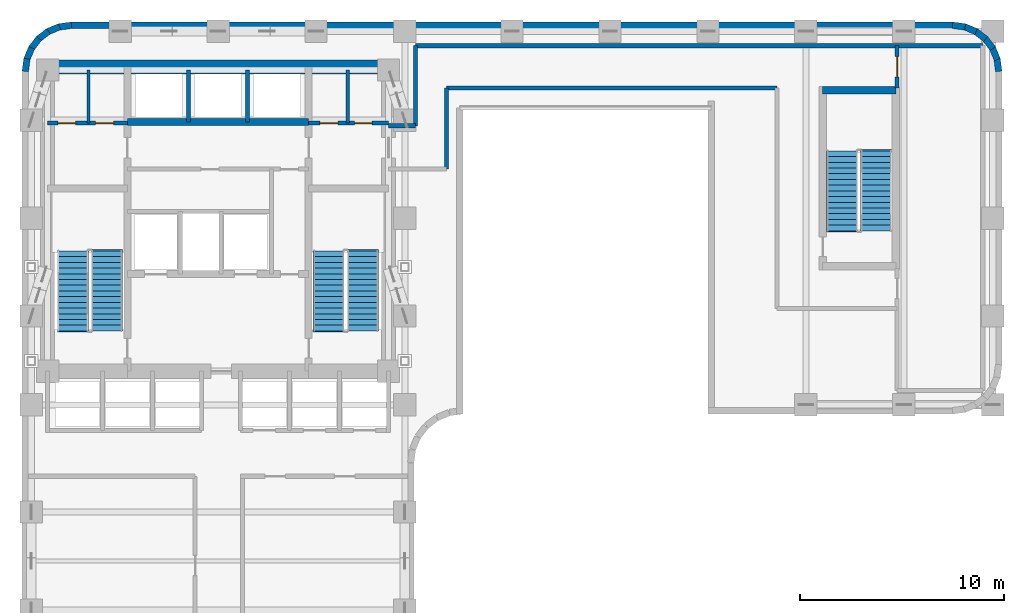
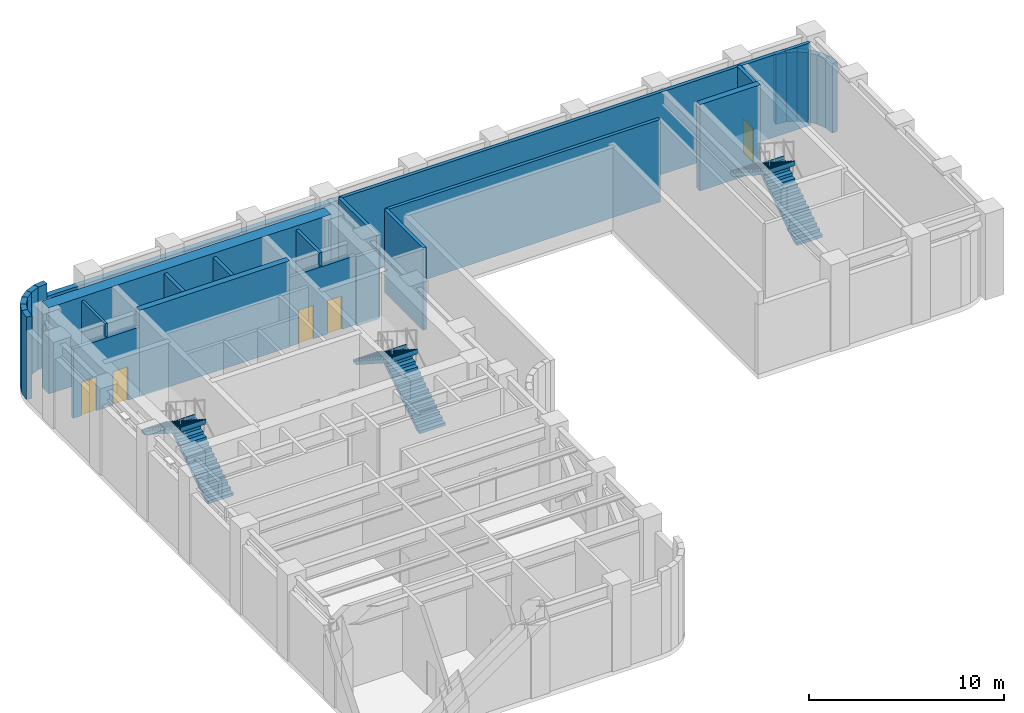
# One storey, part 7 of 9: 28 walls, 6 stair flights, 5 doors, 5 openings, 3 elements without a shape of their own.
"""IFC4 building model written with IfcOpenShell, lengths in metres."""

import ifcopenshell
import ifcopenshell.guid

model = None  # the IFC model being written
_history = None  # IfcOwnerHistory: only IFC2X3 demands one
_inside = {}  # id of a spatial element -> (the spatial element, [elements in it])
_under = {}  # id of a project, library or spatial element -> (it, [spatial elements below it])
_declared = {}  # id of a project -> (the project, [libraries it declares])
_typed = {}  # id of a type object -> (the type object, [elements of that type])
_made_of = {}  # id of a material, layer set ... -> (it, [elements and type objects made of it])


def new_model(schema):
    """Start an empty IFC model of exactly this schema.

    Asked for "IFC4X3", IfcOpenShell would pick the latest addendum, in which some entities
    have other attributes; the version numbers below select the first issue.
    IFC2X3 requires an IfcOwnerHistory on every rooted entity: one is made here for all.
    """
    global model, _history
    if schema == "IFC4X3":
        model = ifcopenshell.file(schema_version=(4, 3, 0, 0))
    else:
        model = ifcopenshell.file(schema=schema)
    _inside.clear()
    _under.clear()
    _declared.clear()
    _typed.clear()
    _made_of.clear()
    _history = None
    if model.schema == "IFC2X3":
        org = make("IfcOrganization", Name="unknown")
        user = make(
            "IfcPersonAndOrganization",
            ThePerson=make("IfcPerson", FamilyName="unknown"),
            TheOrganization=org,
        )
        app = make(
            "IfcApplication",
            ApplicationDeveloper=org,
            Version="unknown",
            ApplicationFullName="unknown",
            ApplicationIdentifier="unknown",
        )
        _history = make(
            "IfcOwnerHistory",
            OwningUser=user,
            OwningApplication=app,
            ChangeAction="ADDED",
            CreationDate=0,
        )
    return model


def make(cls, **values):
    """One entity of the class cls with the attributes given. An attribute that is None is left unset."""
    return model.create_entity(
        cls, **{name: value for name, value in values.items() if value is not None}
    )


def rooted(cls, **values):
    """An entity with a GlobalId (a new one), such as an element, a storey or a relation."""
    return make(cls, GlobalId=ifcopenshell.guid.new(), OwnerHistory=_history, **values)


def si_unit(unit_type, name, prefix=None):
    """IfcSIUnit, for example si_unit("LENGTHUNIT", "METRE", prefix="MILLI")."""
    return make("IfcSIUnit", UnitType=unit_type, Prefix=prefix, Name=name)


def assignment(units):
    """IfcUnitAssignment: the units of a project."""
    return None if units is None else make("IfcUnitAssignment", Units=units)


def point(xyz):
    """IfcCartesianPoint."""
    return None if xyz is None else make("IfcCartesianPoint", Coordinates=xyz)


def direction(xyz):
    """IfcDirection."""
    return None if xyz is None else make("IfcDirection", DirectionRatios=xyz)


def frame(location, z_axis=None, x_axis=None):
    """IfcAxis2Placement3D, a coordinate frame: its origin and axes. An axis left out is left unset."""
    return make(
        "IfcAxis2Placement3D",
        Location=point(location),
        Axis=direction(z_axis),
        RefDirection=direction(x_axis),
    )


def frame_2d(location, x_axis=None):
    """IfcAxis2Placement2D, a coordinate frame in the plane: its origin and x axis."""
    return make(
        "IfcAxis2Placement2D", Location=point(location), RefDirection=direction(x_axis)
    )


def origin():
    """The frame at (0, 0, 0) with its axes left unset."""
    return frame((0.0, 0.0, 0.0))


def place(relative_to, where):
    """IfcLocalPlacement: puts the frame where relative to a parent placement (None: the world)."""
    return make(
        "IfcLocalPlacement", PlacementRelTo=relative_to, RelativePlacement=where
    )


def context(
    kind, dimensions, precision=None, world=None, true_north=None, identifier=None
):
    """IfcGeometricRepresentationContext, for example the 3D "Model" context."""
    return make(
        "IfcGeometricRepresentationContext",
        ContextIdentifier=identifier,
        ContextType=kind,
        CoordinateSpaceDimension=dimensions,
        Precision=precision,
        WorldCoordinateSystem=world,
        TrueNorth=true_north,
    )


def subcontext(parent, identifier, kind, view, scale=None):
    """IfcGeometricRepresentationSubContext, for example "Body" below "Model"."""
    return make(
        "IfcGeometricRepresentationSubContext",
        ContextIdentifier=identifier,
        ContextType=kind,
        ParentContext=parent,
        TargetScale=scale,
        TargetView=view,
    )


def project(units=None, contexts=None):
    """IfcProject with its units and contexts."""
    return rooted(
        "IfcProject",
        Name="project",
        RepresentationContexts=contexts,
        UnitsInContext=assignment(units),
    )


def spatial(cls, under=None, at=None, **own):
    """A site, building, storey or space (cls), placed at a placement, below another one or the project."""
    s = rooted(cls, ObjectPlacement=at, **own)
    if under is not None:
        _under.setdefault(under.id(), (under, []))[1].append(s)
    return s


def polyline(points):
    """IfcPolyline through the points."""
    return make("IfcPolyline", Points=[point(p) for p in points])


def profile(cls, at=None, kind="AREA", **sizes):
    """A parametric profile (cls). Its sizes go by their IFC names, for example OverallWidth=200.0."""
    return make(cls, ProfileType=kind, Position=at, **sizes)


def rectangle(**sizes):
    """IfcRectangleProfileDef."""
    return profile("IfcRectangleProfileDef", **sizes)


def outline(outer, holes=None, kind="AREA"):
    """IfcArbitraryClosedProfileDef: a profile drawn as a closed curve; with holes, ...WithVoids."""
    if holes is None:
        return make("IfcArbitraryClosedProfileDef", ProfileType=kind, OuterCurve=outer)
    return make(
        "IfcArbitraryProfileDefWithVoids",
        ProfileType=kind,
        OuterCurve=outer,
        InnerCurves=holes,
    )


def extrude(swept, where, along, depth):
    """IfcExtrudedAreaSolid: the profile swept, set in the frame where, extruded along a direction by depth."""
    return make(
        "IfcExtrudedAreaSolid",
        SweptArea=swept,
        Position=where,
        ExtrudedDirection=direction(along),
        Depth=depth,
    )


def shape(context_of_items, identifier, shape_type, items):
    """IfcShapeRepresentation: the items that make up one representation, for example the "Body"."""
    return make(
        "IfcShapeRepresentation",
        ContextOfItems=context_of_items,
        RepresentationIdentifier=identifier,
        RepresentationType=shape_type,
        Items=items,
    )


def material(Name=None, Category=None):
    """IfcMaterial."""
    return make("IfcMaterial", Name=Name, Category=Category)


def layer(
    of_material, thickness, ventilated=None, Name=None, Category=None, Priority=None
):
    """IfcMaterialLayer: one layer of a wall or slab, of a material (None: an air gap)."""
    return make(
        "IfcMaterialLayer",
        Material=of_material,
        LayerThickness=thickness,
        IsVentilated=ventilated,
        Name=Name,
        Category=Category,
        Priority=Priority,
    )


def layer_set(layers, Name=None):
    """IfcMaterialLayerSet."""
    return make("IfcMaterialLayerSet", MaterialLayers=layers, LayerSetName=Name)


def made_of(thing, what):
    """Note that an element or type object is made of a material, layer set ...; save() writes the relation."""
    if what is not None:
        _made_of.setdefault(what.id(), (what, []))[1].append(thing)
    return thing


def type_object(cls, material=None, **own):
    """A type object (cls), such as IfcWallType, which elements share."""
    return made_of(rooted(cls, **own), material)


def element(
    cls,
    number,
    at=None,
    inside=None,
    cuts=None,
    type_object=None,
    material=None,
    context=None,
    identifier="Body",
    shape_type=None,
    held_by="IfcProductDefinitionShape",
    body=None,
    shapes=None,
    **own,
):
    """One element of the class cls, such as IfcWall. Its Tag is "e" and its number.

    at: its placement. inside: the storey or other place that contains it. cuts: it is an
    opening in that element (IfcRelVoidsElement). A single representation is given by context,
    identifier, shape_type and body (its items); several are given by shapes. held_by: the class
    of the entity that holds the representations. save() writes the other relations.
    """
    e = rooted(cls, Tag="e%d" % number, ObjectPlacement=at, **own)
    if body is not None:
        shapes = [shape(context, identifier, shape_type, body)]
    if shapes is not None:
        e.Representation = make(held_by, Representations=shapes)
    if inside is not None:
        _inside.setdefault(inside.id(), (inside, []))[1].append(e)
    if cuts is not None:
        rooted(
            "IfcRelVoidsElement", RelatingBuildingElement=cuts, RelatedOpeningElement=e
        )
    if type_object is not None:
        _typed.setdefault(type_object.id(), (type_object, []))[1].append(e)
    return made_of(e, material)


def fill(opening, filler):
    """IfcRelFillsElement: the door or window that sits in an opening."""
    return rooted(
        "IfcRelFillsElement",
        RelatingOpeningElement=opening,
        RelatedBuildingElement=filler,
    )


def aggregate(whole, parts):
    """IfcRelAggregates: a whole, such as a stair, and the parts it consists of."""
    return rooted("IfcRelAggregates", RelatingObject=whole, RelatedObjects=parts)


def save(model, path):
    """Write the relations noted so far, then the file.

    IfcRelAggregates (storeys below a building ...), IfcRelContainedInSpatialStructure (elements
    in a storey), IfcRelDefinesByType, IfcRelAssociatesMaterial and IfcRelDeclares: one each for
    every whole, place, type object, material and project.
    """
    for whole, parts in _under.values():
        aggregate(whole, parts)
    for where, things in _inside.values():
        rooted(
            "IfcRelContainedInSpatialStructure",
            RelatedElements=things,
            RelatingStructure=where,
        )
    for kind, things in _typed.values():
        rooted("IfcRelDefinesByType", RelatedObjects=things, RelatingType=kind)
    for what, things in _made_of.values():
        rooted("IfcRelAssociatesMaterial", RelatedObjects=things, RelatingMaterial=what)
    for by, libraries in _declared.values():
        rooted("IfcRelDeclares", RelatingContext=by, RelatedDefinitions=libraries)
    model.write(path)


model = new_model("IFC4")

# Units and contexts
model_context = context("Model", 3, precision=1e-05, world=origin(), true_north=direction((0.0, 1.0)))
body_context = subcontext(model_context, "Body", "Model", "MODEL_VIEW")
ifc_project = project(units=[si_unit("LENGTHUNIT", "METRE"), si_unit("AREAUNIT", "SQUARE_METRE"), si_unit("VOLUMEUNIT", "CUBIC_METRE"), si_unit("PLANEANGLEUNIT", "RADIAN"), si_unit("MASSUNIT", "GRAM", prefix="KILO")], contexts=[model_context])

# Site, building, storey
site_placement = place(None, origin())
site = spatial("IfcSite", under=ifc_project, at=site_placement, CompositionType="ELEMENT")
building_placement = place(site_placement, origin())
building = spatial("IfcBuilding", under=site, at=building_placement, Name="Orvandelia Arch Residences", CompositionType="ELEMENT")
storey_placement = place(building_placement, frame((0.0, 0.0, 101.800048828125)))
storey = spatial("IfcBuildingStorey", under=building, at=storey_placement, Name="L26", CompositionType="ELEMENT", Elevation=101.800048828125)

# Walls
ifc_material_1 = material(Name="Concrete C50/60", Category="concrete")
ifc_layer_1 = layer(ifc_material_1, 0.35009765625, Name="Concrete C50/60", Category="concrete")
ifc_layer_set_1 = layer_set([ifc_layer_1], Name="Concrete C50/60")
wall_type_1 = type_object("IfcWallType", Name="WL-CORE-350", PredefinedType="SHEAR", material=ifc_layer_set_1)
wall_1_placement = place(storey_placement, frame((9.9599609375, 43.10009765625, 0.0), z_axis=(0.0, 0.0, 1.0), x_axis=(1.0, 0.0, 0.0)))
element("IfcWall", 1, at=wall_1_placement, inside=storey, type_object=wall_type_1, Name="Core Shear Wall L26-HZ4", PredefinedType="SHEAR", context=body_context, shape_type="SweptSolid", body=[
    extrude(rectangle(XDim=8.880126953125, YDim=0.35009765625, at=frame_2d((4.43994140625, 0.0))), origin(), (0.0, 0.0, 1.0), 5.39990234375),
])
wall_2_placement = place(storey_placement, frame((44.02001953125, 44.659912109375, 0.0), z_axis=(0.0, 0.0, 1.0), x_axis=(1.0, 0.0, 0.0)))
element("IfcWall", 2, at=wall_2_placement, inside=storey, type_object=wall_type_1, Name="East Stair Core Shear Wall L26-N", PredefinedType="SHEAR", context=body_context, shape_type="SweptSolid", body=[
    extrude(rectangle(XDim=3.580078125, YDim=0.35009765625, at=frame_2d((1.7900390625, 0.0))), origin(), (0.0, 0.0, 1.0), 5.39990234375),
])
ifc_material_2 = material(Name="Concrete C80/95", Category="concrete")
ifc_layer_2 = layer(ifc_material_2, 0.699951171875, Name="Concrete C80/95", Category="concrete")
ifc_layer_set_2 = layer_set([ifc_layer_2], Name="Concrete C80/95")
wall_type_2 = type_object("IfcWallType", Name="WL-CORE-700", PredefinedType="SHEAR", material=ifc_layer_set_2)
wall_3_placement = place(storey_placement, frame((6.050048828125, 45.800048828125, 0.0), z_axis=(0.0, 0.0, 1.0), x_axis=(1.0, 0.0, 0.0)))
element("IfcWall", 3, at=wall_3_placement, inside=storey, type_object=wall_type_2, Name="Core Shear Wall L26-N", PredefinedType="SHEAR", context=body_context, shape_type="SweptSolid", body=[
    extrude(rectangle(XDim=16.699951171875, YDim=0.699951171875, at=frame_2d((8.35009765625, 0.0))), origin(), (0.0, 0.0, 1.0), 5.39990234375),
])
ifc_material_3 = material(Name="Fire-Rated Corridor Partition")
ifc_layer_3 = layer(ifc_material_3, 0.199951171875, Name="Fire-Rated Corridor Partition")
ifc_layer_set_3 = layer_set([ifc_layer_3], Name="Fire-Rated Corridor Partition")
wall_type_3 = type_object("IfcWallType", Name="WL-CORR-200", PredefinedType="PARTITIONING", material=ifc_layer_set_3)
wall_4_placement = place(storey_placement, frame((22.75, 42.919921875, 0.0), z_axis=(0.0, 0.0, 1.0), x_axis=(1.0, 0.0, 0.0)))
element("IfcWall", 4, at=wall_4_placement, inside=storey, type_object=wall_type_3, Name="Interior Partition Wall WL-L26-ERL-KN", PredefinedType="PARTITIONING", context=body_context, shape_type="SweptSolid", body=[
    extrude(rectangle(XDim=1.330078125, YDim=0.199951171875, at=frame_2d((0.6650390625, 0.0))), origin(), (0.0, 0.0, 1.0), 4.33984375),
])
wall_5_placement = place(storey_placement, frame((24.080078125, 42.919921875, 0.0), z_axis=(0.0, 0.0, 1.0), x_axis=(0.0, 1.0, 0.0)))
element("IfcWall", 5, at=wall_5_placement, inside=storey, type_object=wall_type_3, Name="Interior Partition Wall WL-L26-ERL-KW", PredefinedType="PARTITIONING", context=body_context, shape_type="SweptSolid", body=[
    extrude(rectangle(XDim=3.920166015625, YDim=0.199951171875, at=frame_2d((1.9599609375, 0.0))), origin(), (0.0, 0.0, 1.0), 5.159912109375),
])
wall_6_placement = place(storey_placement, frame((25.60009765625, 40.800048828125, 0.0), z_axis=(0.0, 0.0, 1.0), x_axis=(0.0, 1.0, 0.0)))
element("IfcWall", 6, at=wall_6_placement, inside=storey, type_object=wall_type_3, Name="Interior Partition Wall WL-L26-ERL-KE", PredefinedType="PARTITIONING", context=body_context, shape_type="SweptSolid", body=[
    extrude(rectangle(XDim=3.9599609375, YDim=0.199951171875, at=frame_2d((1.97998046875, 0.0))), origin(), (0.0, 0.0, 1.0), 5.159912109375),
])
wall_7_placement = place(storey_placement, frame((24.080078125, 46.840087890625, 0.0), z_axis=(0.0, 0.0, 1.0), x_axis=(1.0, 0.0, 0.0)))
element("IfcWall", 7, at=wall_7_placement, inside=storey, type_object=wall_type_3, Name="Interior Partition Wall WL-L26-ERL-NN", PredefinedType="PARTITIONING", context=body_context, shape_type="SweptSolid", body=[
    extrude(rectangle(XDim=27.780029296875, YDim=0.199951171875, at=frame_2d((13.89013671875, 0.0))), origin(), (0.0, 0.0, 1.0), 5.159912109375),
])
wall_8_placement = place(storey_placement, frame((25.60009765625, 44.760009765625, 0.0), z_axis=(0.0, 0.0, 1.0), x_axis=(1.0, 0.0, 0.0)))
element("IfcWall", 8, at=wall_8_placement, inside=storey, type_object=wall_type_3, Name="Interior Partition Wall WL-L26-ERL-NS1", PredefinedType="PARTITIONING", context=body_context, shape_type="SweptSolid", body=[
    extrude(rectangle(XDim=16.179931640625, YDim=0.199951171875, at=frame_2d((8.08984375, 0.0))), origin(), (0.0, 0.0, 1.0), 5.159912109375),
])

# Wall, opening, door
wall_9_placement = place(storey_placement, frame((47.659912109375, 44.760009765625, 0.0), z_axis=(0.0, 0.0, 1.0), x_axis=(0.0, 1.0, 0.0)))
wall_9 = element("IfcWall", 9, at=wall_9_placement, inside=storey, type_object=wall_type_3, Name="Interior Partition Wall WL-L26-EREF-W1", PredefinedType="PARTITIONING", context=body_context, shape_type="SweptSolid", body=[
    extrude(rectangle(XDim=2.080078125, YDim=0.199951171875, at=frame_2d((1.0400390625, 0.0))), origin(), (0.0, 0.0, 1.0), 5.159912109375),
])
opening_1_placement = place(wall_9_placement, frame((0.550048828125, 0.0, 0.0)))
opening_1 = element("IfcOpeningElement", 10, at=opening_1_placement, cuts=wall_9, Name="Opening D6", PredefinedType="OPENING", context=body_context, shape_type="SweptSolid", body=[
    extrude(rectangle(XDim=1.0, YDim=2.14990234375, at=frame_2d((0.5, 1.074951171875))), frame((0.0, 0.10986328125, 0.0), z_axis=(0.0, -1.0, 0.0), x_axis=(1.0, 0.0, 0.0)), (0.0, 0.0, 1.0), 0.219970703125),
])
ifc_material_4 = material(Name="Smokeproof Painted Steel Fire Door", Category="steel")
door_type_1 = type_object("IfcDoorType", Name="DR-FD60-1000", OperationType="NOTDEFINED", PredefinedType="DOOR", material=ifc_material_4)
door_1_placement = place(opening_1_placement, origin())
door_1 = element("IfcDoor", 11, at=door_1_placement, inside=storey, type_object=door_type_1, Name="East Refuge Safety Zone North Fire Door L26", OperationType="SINGLE_SWING_LEFT", OverallHeight=2.14990234375, OverallWidth=1.0, PredefinedType="DOOR", context=body_context, shape_type="SweptSolid", body=[
    extrude(rectangle(XDim=1.0, YDim=2.14990234375, at=frame_2d((0.5, 1.074951171875))), frame((0.0, 0.02490234375, 0.0), z_axis=(0.0, -1.0, 0.0), x_axis=(1.0, 0.0, 0.0)), (0.0, 0.0, 1.0), 0.050048828125),
])
fill(opening_1, door_1)

# Walls
ifc_material_5 = material(Name="Precast concrete C40/50", Category="concrete")
ifc_layer_4 = layer(ifc_material_5, 0.320068359375, Name="Precast concrete C40/50", Category="concrete")
ifc_layer_set_4 = layer_set([ifc_layer_4], Name="Precast concrete C40/50")
wall_type_4 = type_object("IfcWallType", Name="WL-EXT-STONE-320", PredefinedType="STANDARD", material=ifc_layer_set_4)
for number, where, z_axis, x_axis, name in (
    (12, (4.95849609375, 45.5791015625, 0.0), (0.0, 0.0, 1.0), (0.130555323746, 0.9914410257, 0.0), "Coral-Limestone Precast Facade Wall L26-001"),
    (13, (5.029541015625, 46.159912109375, 0.0), (0.0, 0.0, 1.0), (0.382650053678, 0.92389335771, 0.0), "Coral-Limestone Precast Facade Wall L26-002"),
):
    element("IfcWall", number, at=place(storey_placement, frame(where, z_axis=z_axis, x_axis=x_axis)), inside=storey, type_object=wall_type_4, Name=name, PredefinedType="STANDARD", context=body_context, shape_type="SweptSolid", body=[
        extrude(rectangle(XDim=0.62646484375, YDim=0.320068359375, at=frame_2d((0.313232421875, 0.0))), origin(), (0.0, 0.0, 1.0), 5.159912109375),
    ])
wall_10_placement = place(storey_placement, frame((5.248291015625, 46.70263671875, 0.0), z_axis=(0.0, 0.0, 1.0), x_axis=(0.608938521285, 0.7932174212, 0.0)))
element("IfcWall", 14, at=wall_10_placement, inside=storey, type_object=wall_type_4, Name="Coral-Limestone Precast Facade Wall L26-003", PredefinedType="STANDARD", context=body_context, shape_type="SweptSolid", body=[
    extrude(rectangle(XDim=0.626708984375, YDim=0.320068359375, at=frame_2d((0.3134765625, 0.0))), origin(), (0.0, 0.0, 1.0), 5.159912109375),
])
wall_11_placement = place(storey_placement, frame((5.600341796875, 47.170166015625, 0.0), z_axis=(0.0, 0.0, 1.0), x_axis=(0.793405610854, 0.608693302629, 0.0)))
element("IfcWall", 15, at=wall_11_placement, inside=storey, type_object=wall_type_4, Name="Coral-Limestone Precast Facade Wall L26-004", PredefinedType="STANDARD", context=body_context, shape_type="SweptSolid", body=[
    extrude(rectangle(XDim=0.62646484375, YDim=0.320068359375, at=frame_2d((0.313232421875, 0.0))), origin(), (0.0, 0.0, 1.0), 5.159912109375),
])
wall_12_placement = place(storey_placement, frame((6.061279296875, 47.53076171875, 0.0), z_axis=(0.0, 0.0, 1.0), x_axis=(0.923836271867, 0.382787856107, 0.0)))
element("IfcWall", 16, at=wall_12_placement, inside=storey, type_object=wall_type_4, Name="Coral-Limestone Precast Facade Wall L26-005", PredefinedType="STANDARD", context=body_context, shape_type="SweptSolid", body=[
    extrude(rectangle(XDim=0.626220703125, YDim=0.320068359375, at=frame_2d((0.31298828125, 0.0))), origin(), (0.0, 0.0, 1.0), 5.159912109375),
])
wall_13_placement = place(storey_placement, frame((6.599609375, 47.759521484375, 0.0), z_axis=(0.0, 0.0, 1.0), x_axis=(0.991447664465, 0.130504898859, 0.0)))
element("IfcWall", 17, at=wall_13_placement, inside=storey, type_object=wall_type_4, Name="Coral-Limestone Precast Facade Wall L26-006", PredefinedType="STANDARD", context=body_context, shape_type="SweptSolid", body=[
    extrude(rectangle(XDim=0.626708984375, YDim=0.320068359375, at=frame_2d((0.3134765625, 0.0))), origin(), (0.0, 0.0, 1.0), 5.159912109375),
])
wall_14_placement = place(storey_placement, frame((7.199951171875, 47.840087890625, 0.0), z_axis=(0.0, 0.0, 1.0), x_axis=(1.0, 0.0, 0.0)))
element("IfcWall", 18, at=wall_14_placement, inside=storey, type_object=wall_type_4, Name="Coral-Limestone Precast Facade Wall L26-007", PredefinedType="STANDARD", context=body_context, shape_type="SweptSolid", body=[
    extrude(rectangle(XDim=43.199951171875, YDim=0.320068359375, at=frame_2d((21.60009765625, 0.0))), origin(), (0.0, 0.0, 1.0), 4.33984375),
])
for number, where, z_axis, x_axis, name in (
    (19, (50.379150390625, 47.84130859375, 0.0), (0.0, 0.0, 1.0), (0.9914410257, -0.130555323746, 0.0), "Coral-Limestone Precast Facade Wall L26-008"),
    (20, (50.9599609375, 47.7705078125, 0.0), (0.0, 0.0, 1.0), (0.92389335771, -0.382650053678, 0.0), "Coral-Limestone Precast Facade Wall L26-009"),
    (21, (51.502685546875, 47.551513671875, 0.0), (0.0, 0.0, 1.0), (0.793405610854, -0.608693302629, 0.0), "Coral-Limestone Precast Facade Wall L26-010"),
    (22, (51.97021484375, 47.19970703125, 0.0), (0.0, 0.0, 1.0), (0.608693302629, -0.793405610854, 0.0), "Coral-Limestone Precast Facade Wall L26-011"),
    (23, (52.330810546875, 46.73876953125, 0.0), (0.0, 0.0, 1.0), (0.382317370307, -0.924031075431, 0.0), "Coral-Limestone Precast Facade Wall L26-012"),
    (24, (52.5595703125, 46.2001953125, 0.0), (0.0, 0.0, 1.0), (0.130555323746, -0.9914410257, 0.0), "Coral-Limestone Precast Facade Wall L26-013"),
):
    element("IfcWall", number, at=place(storey_placement, frame(where, z_axis=z_axis, x_axis=x_axis)), inside=storey, type_object=wall_type_4, Name=name, PredefinedType="STANDARD", context=body_context, shape_type="SweptSolid", body=[
        extrude(rectangle(XDim=0.62646484375, YDim=0.320068359375, at=frame_2d((0.313232421875, 0.0))), origin(), (0.0, 0.0, 1.0), 4.33984375),
    ])
ifc_material_6 = material(Name="Acoustic Gypsum Stud Partition")
ifc_layer_5 = layer(ifc_material_6, 0.14990234375, Name="Acoustic Gypsum Stud Partition")
ifc_layer_set_5 = layer_set([ifc_layer_5], Name="Acoustic Gypsum Stud Partition")
wall_type_5 = type_object("IfcWallType", Name="WL-PART-150", PredefinedType="PARTITIONING", material=ifc_layer_set_5)
wall_15_placement = place(storey_placement, frame((8.06005859375, 43.050048828125, 0.0), z_axis=(0.0, 0.0, 1.0), x_axis=(0.0, 1.0, 0.0)))
element("IfcWall", 25, at=wall_15_placement, inside=storey, type_object=wall_type_5, Name="Interior Partition Wall WL-L26-CRELC-M", PredefinedType="PARTITIONING", context=body_context, shape_type="SweptSolid", body=[
    extrude(rectangle(XDim=2.599853515625, YDim=0.14990234375, at=frame_2d((1.2998046875, 0.0))), origin(), (0.0, 0.0, 1.0), 5.159912109375),
])

# Wall, openings, doors
ifc_material_7 = material(Name="Fire-Rated Shaft Enclosure Wall")
ifc_layer_6 = layer(ifc_material_7, 0.199951171875, Name="Fire-Rated Shaft Enclosure Wall")
ifc_layer_set_6 = layer_set([ifc_layer_6], Name="Fire-Rated Shaft Enclosure Wall")
wall_type_6 = type_object("IfcWallType", Name="WL-SHAFT-200", PredefinedType="POLYGONAL", material=ifc_layer_set_6)
wall_16_placement = place(storey_placement, frame((18.840087890625, 43.050048828125, 0.0), z_axis=(0.0, 0.0, 1.0), x_axis=(1.0, 0.0, 0.0)))
wall_16 = element("IfcWall", 26, at=wall_16_placement, inside=storey, type_object=wall_type_6, Name="Interior Partition Wall WL-L26-HLE-N", PredefinedType="POLYGONAL", context=body_context, shape_type="SweptSolid", body=[
    extrude(rectangle(XDim=3.909912109375, YDim=0.199951171875, at=frame_2d((1.955078125, 0.0))), origin(), (0.0, 0.0, 1.0), 4.33984375),
])
opening_2_placement = place(wall_16_placement, frame((0.550048828125, 0.0, 0.0)))
opening_2 = element("IfcOpeningElement", 27, at=opening_2_placement, cuts=wall_16, Name="Opening D5", PredefinedType="OPENING", context=body_context, shape_type="SweptSolid", body=[
    extrude(rectangle(XDim=0.8798828125, YDim=2.10009765625, at=frame_2d((0.43994140625, 1.050048828125))), frame((0.0, 0.10986328125, 0.0), z_axis=(0.0, -1.0, 0.0), x_axis=(1.0, 0.0, 0.0)), (0.0, 0.0, 1.0), 0.219970703125),
])
opening_3_placement = place(wall_16_placement, frame((2.25, 0.0, 0.0)))
opening_3 = element("IfcOpeningElement", 28, at=opening_3_placement, cuts=wall_16, Name="Opening D4", PredefinedType="OPENING", context=body_context, shape_type="SweptSolid", body=[
    extrude(rectangle(XDim=0.860107421875, YDim=2.10009765625, at=frame_2d((0.43017578125, 1.050048828125))), frame((0.0, 0.10986328125, 0.0), z_axis=(0.0, -1.0, 0.0), x_axis=(1.0, 0.0, 0.0)), (0.0, 0.0, 1.0), 0.219970703125),
])
ifc_material_8 = material(Name="Painted Galvanised Steel Service Door", Category="steel")
door_type_2 = type_object("IfcDoorType", Name="DR-SRV-880", OperationType="NOTDEFINED", PredefinedType="DOOR", material=ifc_material_8)
door_2_placement = place(opening_2_placement, origin())
door_2 = element("IfcDoor", 29, at=door_2_placement, inside=storey, type_object=door_type_2, Name="DR-L26-CSB1", OperationType="SINGLE_SWING_LEFT", OverallHeight=2.10009765625, OverallWidth=0.8798828125, PredefinedType="DOOR", context=body_context, shape_type="SweptSolid", body=[
    extrude(rectangle(XDim=0.8798828125, YDim=2.10009765625, at=frame_2d((0.43994140625, 1.050048828125))), frame((0.0, 0.02490234375, 0.0), z_axis=(0.0, -1.0, 0.0), x_axis=(1.0, 0.0, 0.0)), (0.0, 0.0, 1.0), 0.050048828125),
])
fill(opening_2, door_2)
ifc_material_9 = material(Name="Moisture-Sealed Timber Bathroom Door", Category="wood")
door_type_3 = type_object("IfcDoorType", Name="DR-WET-900", OperationType="NOTDEFINED", PredefinedType="DOOR", material=ifc_material_9)
door_3_placement = place(opening_3_placement, origin())
door_3 = element("IfcDoor", 30, at=door_3_placement, inside=storey, type_object=door_type_3, Name="DR-L26-CSB2", OperationType="SINGLE_SWING_RIGHT", OverallHeight=2.10009765625, OverallWidth=0.860107421875, PredefinedType="DOOR", context=body_context, shape_type="SweptSolid", body=[
    extrude(rectangle(XDim=0.860107421875, YDim=2.10009765625, at=frame_2d((0.43017578125, 1.050048828125))), frame((0.0, 0.02490234375, 0.0), z_axis=(0.0, -1.0, 0.0), x_axis=(1.0, 0.0, 0.0)), (0.0, 0.0, 1.0), 0.050048828125),
])
fill(opening_3, door_3)

wall_17_placement = place(storey_placement, frame((6.050048828125, 43.050048828125, 0.0), z_axis=(0.0, 0.0, 1.0), x_axis=(1.0, 0.0, 0.0)))
wall_17 = element("IfcWall", 31, at=wall_17_placement, inside=storey, type_object=wall_type_6, Name="Interior Partition Wall WL-L26-HLW-N", PredefinedType="POLYGONAL", context=body_context, shape_type="SweptSolid", body=[
    extrude(rectangle(XDim=3.909912109375, YDim=0.199951171875, at=frame_2d((1.955078125, 0.0))), origin(), (0.0, 0.0, 1.0), 4.33984375),
])
opening_4_placement = place(wall_17_placement, frame((0.5, 0.0, 0.0)))
opening_4 = element("IfcOpeningElement", 32, at=opening_4_placement, cuts=wall_17, Name="Opening D5", PredefinedType="OPENING", context=body_context, shape_type="SweptSolid", body=[
    extrude(rectangle(XDim=0.8798828125, YDim=2.10009765625, at=frame_2d((0.43994140625, 1.050048828125))), frame((0.0, 0.10986328125, 0.0), z_axis=(0.0, -1.0, 0.0), x_axis=(1.0, 0.0, 0.0)), (0.0, 0.0, 1.0), 0.219970703125),
])
opening_5_placement = place(wall_17_placement, frame((2.35009765625, 0.0, 0.0)))
opening_5 = element("IfcOpeningElement", 33, at=opening_5_placement, cuts=wall_17, Name="Opening D5", PredefinedType="OPENING", context=body_context, shape_type="SweptSolid", body=[
    extrude(rectangle(XDim=0.8798828125, YDim=2.10009765625, at=frame_2d((0.43994140625, 1.050048828125))), frame((0.0, 0.10986328125, 0.0), z_axis=(0.0, -1.0, 0.0), x_axis=(1.0, 0.0, 0.0)), (0.0, 0.0, 1.0), 0.219970703125),
])
door_4_placement = place(opening_4_placement, origin())
door_4 = element("IfcDoor", 34, at=door_4_placement, inside=storey, type_object=door_type_2, Name="DR-L26-CRELC1", OperationType="SINGLE_SWING_LEFT", OverallHeight=2.10009765625, OverallWidth=0.8798828125, PredefinedType="DOOR", context=body_context, shape_type="SweptSolid", body=[
    extrude(rectangle(XDim=0.8798828125, YDim=2.10009765625, at=frame_2d((0.43994140625, 1.050048828125))), frame((0.0, 0.02490234375, 0.0), z_axis=(0.0, -1.0, 0.0), x_axis=(1.0, 0.0, 0.0)), (0.0, 0.0, 1.0), 0.050048828125),
])
fill(opening_4, door_4)
door_5_placement = place(opening_5_placement, origin())
door_5 = element("IfcDoor", 35, at=door_5_placement, inside=storey, type_object=door_type_2, Name="DR-L26-CRELC2", OperationType="SINGLE_SWING_RIGHT", OverallHeight=2.10009765625, OverallWidth=0.8798828125, PredefinedType="DOOR", context=body_context, shape_type="SweptSolid", body=[
    extrude(rectangle(XDim=0.8798828125, YDim=2.10009765625, at=frame_2d((0.43994140625, 1.050048828125))), frame((0.0, 0.02490234375, 0.0), z_axis=(0.0, -1.0, 0.0), x_axis=(1.0, 0.0, 0.0)), (0.0, 0.0, 1.0), 0.050048828125),
])
fill(opening_5, door_5)

# Walls
for number, where, z_axis, x_axis, name in (
    (36, (12.949951171875, 43.10009765625, 0.0), (0.0, 0.0, 1.0), (0.0, 1.0, 0.0), "Interior Partition Wall WL-L26-PHD1"),
    (37, (15.85009765625, 43.10009765625, 0.0), (0.0, 0.0, 1.0), (0.0, 1.0, 0.0), "Interior Partition Wall WL-L26-PHD2"),
):
    element("IfcWall", number, at=place(storey_placement, frame(where, z_axis=z_axis, x_axis=x_axis)), inside=storey, type_object=wall_type_6, Name=name, PredefinedType="POLYGONAL", context=body_context, shape_type="SweptSolid", body=[
        extrude(rectangle(XDim=2.5498046875, YDim=0.199951171875, at=frame_2d((1.27490234375, 0.0))), origin(), (0.0, 0.0, 1.0), 5.159912109375),
    ])
ifc_material_10 = material(Name="Moisture-Resistant Plumbing Wall")
ifc_layer_7 = layer(ifc_material_10, 0.179931640625, Name="Moisture-Resistant Plumbing Wall")
ifc_layer_set_7 = layer_set([ifc_layer_7], Name="Moisture-Resistant Plumbing Wall")
wall_type_7 = type_object("IfcWallType", Name="WL-WET-180", PredefinedType="PLUMBINGWALL", material=ifc_layer_set_7)
wall_18_placement = place(storey_placement, frame((20.75, 43.050048828125, 0.0), z_axis=(0.0, 0.0, 1.0), x_axis=(0.0, 1.0, 0.0)))
element("IfcWall", 38, at=wall_18_placement, inside=storey, type_object=wall_type_7, Name="Interior Partition Wall WL-L26-CSB-1", PredefinedType="PLUMBINGWALL", context=body_context, shape_type="SweptSolid", body=[
    extrude(rectangle(XDim=2.599853515625, YDim=0.179931640625, at=frame_2d((1.2998046875, 0.0))), origin(), (0.0, 0.0, 1.0), 5.159912109375),
])

# Stair, stair flights
ifc_material_11 = material(Name="Concrete C40/50", Category="concrete")
stair_type = type_object("IfcStairType", Name="STAIR-RC-DOGLEG", PredefinedType="HALF_TURN_STAIR", material=ifc_material_11)
stair_1_placement = place(storey_placement, origin())
stair_1 = element("IfcStair", 39, at=stair_1_placement, inside=storey, type_object=stair_type, Name="L26 Protected Exit Stair ST-1", PredefinedType="HALF_TURN_STAIR")
stair_flight_type = type_object("IfcStairFlightType", Name="STFLT-RC-1520", PredefinedType="STRAIGHT", material=ifc_material_11)
stair_flight_1_placement = place(storey_placement, frame((8.9599609375, 32.8701171875, 0.0), z_axis=(0.0, 0.0, 1.0), x_axis=(0.0, 1.0, 0.0)))
stair_flight_1 = element("IfcStairFlight", 40, at=stair_flight_1_placement, type_object=stair_flight_type, Name="ST-1 flight 1", NumberOfRisers=15, NumberOfTreads=14, PredefinedType="STRAIGHT", RiserHeight=0.18, TreadLength=0.28, context=body_context, shape_type="SweptSolid", body=[
    extrude(outline(polyline([(0.0, 0.0), (0.0, 0.179931640625), (0.280029296875, 0.179931640625), (0.280029296875, 0.360107421875), (0.56005859375, 0.360107421875), (0.56005859375, 0.5400390625), (0.840087890625, 0.5400390625), (0.840087890625, 0.719970703125), (1.1201171875, 0.719970703125), (1.1201171875, 0.89990234375), (1.39990234375, 0.89990234375), (1.39990234375, 1.080078125), (1.679931640625, 1.080078125), (1.679931640625, 1.260009765625), (1.9599609375, 1.260009765625), (1.9599609375, 1.43994140625), (2.239990234375, 1.43994140625), (2.239990234375, 1.6201171875), (2.52001953125, 1.6201171875), (2.52001953125, 1.800048828125), (2.800048828125, 1.800048828125), (2.800048828125, 1.97998046875), (3.080078125, 1.97998046875), (3.080078125, 2.159912109375), (3.360107421875, 2.159912109375), (3.360107421875, 2.340087890625), (3.639892578125, 2.340087890625), (3.639892578125, 2.52001953125), (3.919921875, 2.52001953125), (3.919921875, 2.699951171875), (3.97998046875, 2.699951171875), (3.97998046875, 2.52001953125), (3.919921875, 2.341796875), (0.277099609375, 0.0), (0.0, 0.0)])), frame((0.0, 0.760009765625, 0.0), z_axis=(0.0, -1.0, 0.0), x_axis=(1.0, 0.0, 0.0)), (0.0, 0.0, 1.0), 1.52001953125),
])
stair_flight_2_placement = place(storey_placement, frame((7.2900390625, 36.7900390625, 2.699951171875), z_axis=(0.0, 0.0, 1.0), x_axis=(0.0, -1.0, 0.0)))
stair_flight_2 = element("IfcStairFlight", 41, at=stair_flight_2_placement, type_object=stair_flight_type, Name="ST-1 flight 2", NumberOfRisers=15, NumberOfTreads=14, PredefinedType="STRAIGHT", RiserHeight=0.18, TreadLength=0.28, context=body_context, shape_type="SweptSolid", body=[
    extrude(outline(polyline([(0.0, 0.0), (0.0, 0.179931640625), (0.280029296875, 0.179931640625), (0.280029296875, 0.360107421875), (0.56005859375, 0.360107421875), (0.56005859375, 0.5400390625), (0.840087890625, 0.5400390625), (0.840087890625, 0.719970703125), (1.1201171875, 0.719970703125), (1.1201171875, 0.89990234375), (1.39990234375, 0.89990234375), (1.39990234375, 1.080078125), (1.679931640625, 1.080078125), (1.679931640625, 1.260009765625), (1.9599609375, 1.260009765625), (1.9599609375, 1.43994140625), (2.239990234375, 1.43994140625), (2.239990234375, 1.6201171875), (2.52001953125, 1.6201171875), (2.52001953125, 1.800048828125), (2.800048828125, 1.800048828125), (2.800048828125, 1.97998046875), (3.080078125, 1.97998046875), (3.080078125, 2.159912109375), (3.360107421875, 2.159912109375), (3.360107421875, 2.340087890625), (3.639892578125, 2.340087890625), (3.639892578125, 2.52001953125), (3.919921875, 2.52001953125), (3.919921875, 2.699951171875), (3.97998046875, 2.699951171875), (3.97998046875, 2.52001953125), (3.919921875, 2.341796875), (0.277099609375, 0.0), (0.0, 0.0)])), frame((0.0, 0.760009765625, 0.0), z_axis=(0.0, -1.0, 0.0), x_axis=(1.0, 0.0, 0.0)), (0.0, 0.0, 1.0), 1.52001953125),
])
aggregate(stair_1, [stair_flight_1, stair_flight_2])

stair_2_placement = place(storey_placement, origin())
stair_2 = element("IfcStair", 42, at=stair_2_placement, inside=storey, type_object=stair_type, Name="L26 Protected Exit Stair ST-2", PredefinedType="HALF_TURN_STAIR")
stair_flight_3_placement = place(storey_placement, frame((21.489990234375, 32.8701171875, 0.0), z_axis=(0.0, 0.0, 1.0), x_axis=(0.0, 1.0, 0.0)))
stair_flight_3 = element("IfcStairFlight", 43, at=stair_flight_3_placement, type_object=stair_flight_type, Name="ST-2 flight 1", NumberOfRisers=15, NumberOfTreads=14, PredefinedType="STRAIGHT", RiserHeight=0.18, TreadLength=0.28, context=body_context, shape_type="SweptSolid", body=[
    extrude(outline(polyline([(0.0, 0.0), (0.0, 0.179931640625), (0.280029296875, 0.179931640625), (0.280029296875, 0.360107421875), (0.56005859375, 0.360107421875), (0.56005859375, 0.5400390625), (0.840087890625, 0.5400390625), (0.840087890625, 0.719970703125), (1.1201171875, 0.719970703125), (1.1201171875, 0.89990234375), (1.39990234375, 0.89990234375), (1.39990234375, 1.080078125), (1.679931640625, 1.080078125), (1.679931640625, 1.260009765625), (1.9599609375, 1.260009765625), (1.9599609375, 1.43994140625), (2.239990234375, 1.43994140625), (2.239990234375, 1.6201171875), (2.52001953125, 1.6201171875), (2.52001953125, 1.800048828125), (2.800048828125, 1.800048828125), (2.800048828125, 1.97998046875), (3.080078125, 1.97998046875), (3.080078125, 2.159912109375), (3.360107421875, 2.159912109375), (3.360107421875, 2.340087890625), (3.639892578125, 2.340087890625), (3.639892578125, 2.52001953125), (3.919921875, 2.52001953125), (3.919921875, 2.699951171875), (3.97998046875, 2.699951171875), (3.97998046875, 2.52001953125), (3.919921875, 2.341796875), (0.277099609375, 0.0), (0.0, 0.0)])), frame((0.0, 0.760009765625, 0.0), z_axis=(0.0, -1.0, 0.0), x_axis=(1.0, 0.0, 0.0)), (0.0, 0.0, 1.0), 1.52001953125),
])
stair_flight_4_placement = place(storey_placement, frame((19.820068359375, 36.7900390625, 2.699951171875), z_axis=(0.0, 0.0, 1.0), x_axis=(0.0, -1.0, 0.0)))
stair_flight_4 = element("IfcStairFlight", 44, at=stair_flight_4_placement, type_object=stair_flight_type, Name="ST-2 flight 2", NumberOfRisers=15, NumberOfTreads=14, PredefinedType="STRAIGHT", RiserHeight=0.18, TreadLength=0.28, context=body_context, shape_type="SweptSolid", body=[
    extrude(outline(polyline([(0.0, 0.0), (0.0, 0.179931640625), (0.280029296875, 0.179931640625), (0.280029296875, 0.360107421875), (0.56005859375, 0.360107421875), (0.56005859375, 0.5400390625), (0.840087890625, 0.5400390625), (0.840087890625, 0.719970703125), (1.1201171875, 0.719970703125), (1.1201171875, 0.89990234375), (1.39990234375, 0.89990234375), (1.39990234375, 1.080078125), (1.679931640625, 1.080078125), (1.679931640625, 1.260009765625), (1.9599609375, 1.260009765625), (1.9599609375, 1.43994140625), (2.239990234375, 1.43994140625), (2.239990234375, 1.6201171875), (2.52001953125, 1.6201171875), (2.52001953125, 1.800048828125), (2.800048828125, 1.800048828125), (2.800048828125, 1.97998046875), (3.080078125, 1.97998046875), (3.080078125, 2.159912109375), (3.360107421875, 2.159912109375), (3.360107421875, 2.340087890625), (3.639892578125, 2.340087890625), (3.639892578125, 2.52001953125), (3.919921875, 2.52001953125), (3.919921875, 2.699951171875), (3.97998046875, 2.699951171875), (3.97998046875, 2.52001953125), (3.919921875, 2.341796875), (0.277099609375, 0.0), (0.0, 0.0)])), frame((0.0, 0.760009765625, 0.0), z_axis=(0.0, -1.0, 0.0), x_axis=(1.0, 0.0, 0.0)), (0.0, 0.0, 1.0), 1.52001953125),
])
aggregate(stair_2, [stair_flight_3, stair_flight_4])

stair_3_placement = place(storey_placement, origin())
stair_3 = element("IfcStair", 45, at=stair_3_placement, inside=storey, type_object=stair_type, Name="L26 East Wing Exit Stair ST-3", PredefinedType="HALF_TURN_STAIR")
stair_flight_5_placement = place(storey_placement, frame((46.639892578125, 37.77001953125, 0.0), z_axis=(0.0, 0.0, 1.0), x_axis=(0.0, 1.0, 0.0)))
stair_flight_5 = element("IfcStairFlight", 46, at=stair_flight_5_placement, type_object=stair_flight_type, Name="ST-3 flight 1", NumberOfRisers=15, NumberOfTreads=14, PredefinedType="STRAIGHT", RiserHeight=0.18, TreadLength=0.28, context=body_context, shape_type="SweptSolid", body=[
    extrude(outline(polyline([(0.0, 0.0), (0.0, 0.179931640625), (0.280029296875, 0.179931640625), (0.280029296875, 0.360107421875), (0.56005859375, 0.360107421875), (0.56005859375, 0.5400390625), (0.840087890625, 0.5400390625), (0.840087890625, 0.719970703125), (1.1201171875, 0.719970703125), (1.1201171875, 0.89990234375), (1.39990234375, 0.89990234375), (1.39990234375, 1.080078125), (1.679931640625, 1.080078125), (1.679931640625, 1.260009765625), (1.9599609375, 1.260009765625), (1.9599609375, 1.43994140625), (2.239990234375, 1.43994140625), (2.239990234375, 1.6201171875), (2.52001953125, 1.6201171875), (2.52001953125, 1.800048828125), (2.800048828125, 1.800048828125), (2.800048828125, 1.97998046875), (3.080078125, 1.97998046875), (3.080078125, 2.159912109375), (3.360107421875, 2.159912109375), (3.360107421875, 2.340087890625), (3.639892578125, 2.340087890625), (3.639892578125, 2.52001953125), (3.919921875, 2.52001953125), (3.919921875, 2.699951171875), (3.97998046875, 2.699951171875), (3.97998046875, 2.52001953125), (3.919921875, 2.341796875), (0.277099609375, 0.0), (0.0, 0.0)])), frame((0.0, 0.760009765625, 0.0), z_axis=(0.0, -1.0, 0.0), x_axis=(1.0, 0.0, 0.0)), (0.0, 0.0, 1.0), 1.52001953125),
])
stair_flight_6_placement = place(storey_placement, frame((44.969970703125, 41.68994140625, 2.699951171875), z_axis=(0.0, 0.0, 1.0), x_axis=(0.0, -1.0, 0.0)))
stair_flight_6 = element("IfcStairFlight", 47, at=stair_flight_6_placement, type_object=stair_flight_type, Name="ST-3 flight 2", NumberOfRisers=15, NumberOfTreads=14, PredefinedType="STRAIGHT", RiserHeight=0.18, TreadLength=0.28, context=body_context, shape_type="SweptSolid", body=[
    extrude(outline(polyline([(0.0, 0.0), (0.0, 0.179931640625), (0.280029296875, 0.179931640625), (0.280029296875, 0.360107421875), (0.56005859375, 0.360107421875), (0.56005859375, 0.5400390625), (0.840087890625, 0.5400390625), (0.840087890625, 0.719970703125), (1.1201171875, 0.719970703125), (1.1201171875, 0.89990234375), (1.39990234375, 0.89990234375), (1.39990234375, 1.080078125), (1.679931640625, 1.080078125), (1.679931640625, 1.260009765625), (1.9599609375, 1.260009765625), (1.9599609375, 1.43994140625), (2.239990234375, 1.43994140625), (2.239990234375, 1.6201171875), (2.52001953125, 1.6201171875), (2.52001953125, 1.800048828125), (2.800048828125, 1.800048828125), (2.800048828125, 1.97998046875), (3.080078125, 1.97998046875), (3.080078125, 2.159912109375), (3.360107421875, 2.159912109375), (3.360107421875, 2.340087890625), (3.639892578125, 2.340087890625), (3.639892578125, 2.52001953125), (3.919921875, 2.52001953125), (3.919921875, 2.699951171875), (3.97998046875, 2.699951171875), (3.97998046875, 2.52001953125), (3.919921875, 2.341796875), (0.277099609375, 0.0), (0.0, 0.0)])), frame((0.0, 0.760009765625, 0.0), z_axis=(0.0, -1.0, 0.0), x_axis=(1.0, 0.0, 0.0)), (0.0, 0.0, 1.0), 1.52001953125),
])
aggregate(stair_3, [stair_flight_5, stair_flight_6])

save(model, "model.ifc")
